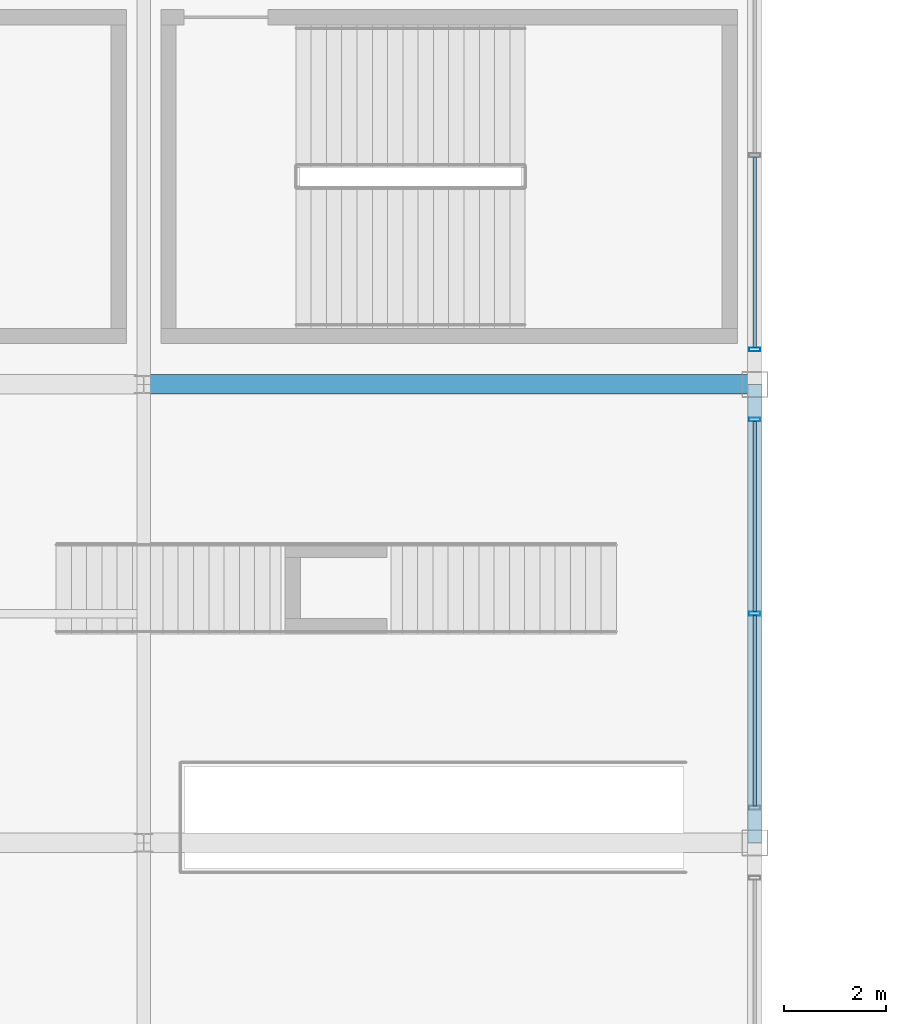
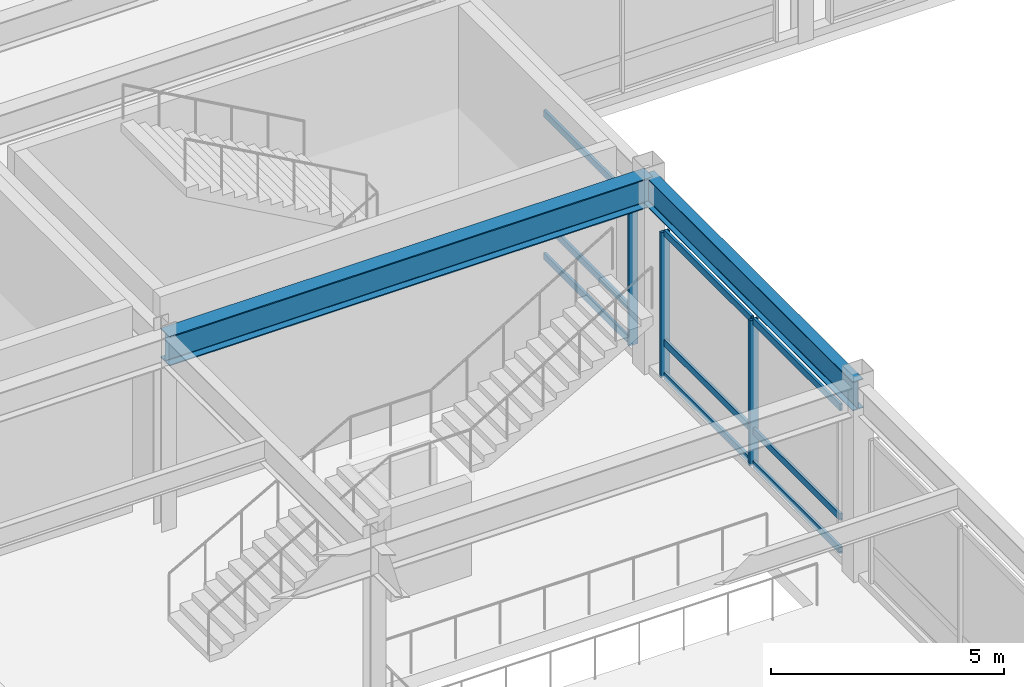
# One storey, part 57 of 100: 12 members, 2 beams, 2 elements without a shape of their own.
"""IFC4 building model written with IfcOpenShell, lengths in metres."""

from ifc_helpers import new_model, si_unit, direction, frame, origin, origin_2d, place, context, subcontext, project, spatial, hollow_rectangle, i_section, extrude, material, material_profile, profile_set, type_object, element, aggregate, save


model = new_model("IFC4")

# Units and contexts
model_context = context("Model", 3, precision=1e-05, world=origin(), true_north=direction((0.0, 1.0)))
body_context = subcontext(model_context, "Body", "Model", "MODEL_VIEW")
ifc_project = project(units=[si_unit("LENGTHUNIT", "METRE"), si_unit("AREAUNIT", "SQUARE_METRE"), si_unit("VOLUMEUNIT", "CUBIC_METRE"), si_unit("PLANEANGLEUNIT", "RADIAN"), si_unit("MASSUNIT", "GRAM", prefix="KILO")], contexts=[model_context])

# Site, building, storey
site_placement = place(None, origin())
site = spatial("IfcSite", under=ifc_project, at=site_placement, CompositionType="ELEMENT")
building_placement = place(site_placement, origin())
building = spatial("IfcBuilding", under=site, at=building_placement, Name="Kaldorvane Square Convention Centre", CompositionType="ELEMENT")
storey_placement = place(building_placement, frame((0.0, 0.0, 18.0)))
storey = spatial("IfcBuildingStorey", under=building, at=storey_placement, Name="L03", CompositionType="ELEMENT", Elevation=18.0)

# Beams
ifc_material_1 = material(Name="Steel ASTM A992 Gr. 50", Category="steel")
ifc_material_profile_1 = material_profile(ifc_material_1, i_section(OverallWidth=0.2666015625, OverallDepth=0.762298583984375, WebThickness=0.014404296875, FlangeThickness=0.0216064453125, FilletRadius=0.0164947509765625, at=origin_2d()), Name="W30X116")
ifc_profile_set_1 = profile_set([ifc_material_profile_1], Name="Steel ASTM A992 Gr. 50")
beam_type_1 = type_object("IfcBeamType", Name="BM-GR-W30X116", PredefinedType="BEAM", material=ifc_profile_set_1)
beam_1_placement = place(storey_placement, frame((138.0, 63.0, 4.694793701171875), z_axis=(0.0, 1.0, 0.0), x_axis=(-1.0, 0.0, 0.0)))
element("IfcBeam", 1, at=beam_1_placement, inside=storey, type_object=beam_type_1, Name="Transverse Girder (L03)", PredefinedType="BEAM", context=body_context, shape_type="SweptSolid", body=[
    extrude(i_section(OverallWidth=0.2666015625, OverallDepth=0.762298583984375, WebThickness=0.014404296875, FlangeThickness=0.0216064453125, FilletRadius=0.0164947509765625, at=origin_2d()), origin(), (0.0, 0.0, 1.0), 9.0),
])
ifc_material_profile_2 = material_profile(ifc_material_1, i_section(OverallWidth=0.380706787109375, OverallDepth=0.773193359375, WebThickness=0.0166015625, FlangeThickness=0.027099609375, FilletRadius=0.0164947509765625, at=origin_2d()), Name="W30X173")
ifc_profile_set_2 = profile_set([ifc_material_profile_2], Name="Steel ASTM A992 Gr. 50")
beam_type_2 = type_object("IfcBeamType", Name="BM-GR-W30X173", PredefinedType="BEAM", material=ifc_profile_set_2)
beam_2_placement = place(storey_placement, frame((126.0, 72.0, 4.6894073486328125), z_axis=(1.0, 0.0, 0.0), x_axis=(0.0, 1.0, 0.0)))
element("IfcBeam", 2, at=beam_2_placement, inside=storey, type_object=beam_type_2, Name="Primary Girder (L03)", PredefinedType="BEAM", context=body_context, shape_type="SweptSolid", body=[
    extrude(i_section(OverallWidth=0.380706787109375, OverallDepth=0.773193359375, WebThickness=0.0166015625, FlangeThickness=0.027099609375, FilletRadius=0.0164947509765625, at=origin_2d()), origin(), (0.0, 0.0, 1.0), 12.0),
])

# Curtain wall, members
ifc_material_2 = material(Name="Anodized Aluminum and Low-E Insulated Glazing", Category="aluminium")
curtain_wall_type = type_object("IfcCurtainWallType", Name="CW-PTS-FC-54", PredefinedType="USERDEFINED", material=ifc_material_2)
curtain_wall_1_placement = place(storey_placement, origin())
curtain_wall_1 = element("IfcCurtainWall", 3, at=curtain_wall_1_placement, inside=storey, type_object=curtain_wall_type, Name="Curtain Wall CW-08 (L03)", ObjectType="POINT SUPPORTED GLAZING", PredefinedType="USERDEFINED")
ifc_material_profile_3 = material_profile(ifc_material_2, hollow_rectangle(XDim=0.0749969482421875, YDim=0.220001220703125, WallThickness=0.003997802734375, at=origin_2d()), Name="CWM-220X75")
ifc_profile_set_3 = profile_set([ifc_material_profile_3], Name="Anodized Aluminum and Low-E Insulated Glazing")
member_type_1 = type_object("IfcMemberType", Name="CW-MUL-220", PredefinedType="MULLION", material=ifc_profile_set_3)
member_1_placement = place(storey_placement, frame((138.0, 67.5, 0.149993896484375), z_axis=(0.0, 0.0, 1.0), x_axis=(0.0, 1.0, 0.0)))
member_1 = element("IfcMember", 4, at=member_1_placement, type_object=member_type_1, Name="CW-08 mullion 2", PredefinedType="MULLION", context=body_context, shape_type="SweptSolid", body=[
    extrude(hollow_rectangle(XDim=0.0749969482421875, YDim=0.220001220703125, WallThickness=0.003997802734375, at=origin_2d()), origin(), (0.0, 0.0, 1.0), 3.8100128173828125),
])
member_2_placement = place(storey_placement, frame((138.0, 71.3125, 0.149993896484375), z_axis=(0.0, 0.0, 1.0), x_axis=(0.0, 1.0, 0.0)))
member_2 = element("IfcMember", 5, at=member_2_placement, type_object=member_type_1, Name="CW-08 mullion 3", PredefinedType="MULLION", context=body_context, shape_type="SweptSolid", body=[
    extrude(hollow_rectangle(XDim=0.0749969482421875, YDim=0.220001220703125, WallThickness=0.003997802734375, at=origin_2d()), origin(), (0.0, 0.0, 1.0), 3.8100128173828125),
])

# Curtain wall, member
curtain_wall_2_placement = place(storey_placement, origin())
curtain_wall_2 = element("IfcCurtainWall", 6, at=curtain_wall_2_placement, inside=storey, type_object=curtain_wall_type, Name="Curtain Wall CW-08 (L03)", ObjectType="POINT SUPPORTED GLAZING", PredefinedType="USERDEFINED")
member_3_placement = place(storey_placement, frame((138.0, 72.6875, 0.149993896484375), z_axis=(0.0, 0.0, 1.0), x_axis=(0.0, 1.0, 0.0)))
member_3 = element("IfcMember", 7, at=member_3_placement, type_object=member_type_1, Name="CW-08 mullion 1", PredefinedType="MULLION", context=body_context, shape_type="SweptSolid", body=[
    extrude(hollow_rectangle(XDim=0.0749969482421875, YDim=0.220001220703125, WallThickness=0.003997802734375, at=origin_2d()), origin(), (0.0, 0.0, 1.0), 3.8100128173828125),
])

# Member
ifc_material_profile_4 = material_profile(ifc_material_2, hollow_rectangle(XDim=0.06500244140625, YDim=0.17999267578125, WallThickness=0.0034942626953125, at=origin_2d()), Name="CWT-180X65")
ifc_profile_set_4 = profile_set([ifc_material_profile_4], Name="Anodized Aluminum and Low-E Insulated Glazing")
member_type_2 = type_object("IfcMemberType", Name="CW-TRN-180", PredefinedType="USERDEFINED", material=ifc_profile_set_4)
member_4_placement = place(storey_placement, frame((138.0, 63.725006103515625, 0.1824951171875), z_axis=(0.0, 1.0, 0.0), x_axis=(-1.0, 0.0, 0.0)))
member_4 = element("IfcMember", 8, at=member_4_placement, type_object=member_type_2, Name="CW-08 transom 1.1", ObjectType="TRANSOM", PredefinedType="USERDEFINED", context=body_context, shape_type="SweptSolid", body=[
    extrude(hollow_rectangle(XDim=0.06500244140625, YDim=0.17999267578125, WallThickness=0.0034942626953125, at=origin_2d()), origin(), (0.0, 0.0, 1.0), 3.73748779296875),
])

member_5_placement = place(storey_placement, frame((138.0, 63.725006103515625, 1.0500030517578125), z_axis=(0.0, 1.0, 0.0), x_axis=(-1.0, 0.0, 0.0)))
member_5 = element("IfcMember", 9, at=member_5_placement, type_object=member_type_2, Name="CW-08 transom 1.2", ObjectType="TRANSOM", PredefinedType="USERDEFINED", context=body_context, shape_type="SweptSolid", body=[
    extrude(hollow_rectangle(XDim=0.06500244140625, YDim=0.17999267578125, WallThickness=0.0034942626953125, at=origin_2d()), origin(), (0.0, 0.0, 1.0), 3.73748779296875),
])

member_6_placement = place(storey_placement, frame((138.0, 63.725006103515625, 3.9275054931640625), z_axis=(0.0, 1.0, 0.0), x_axis=(-1.0, 0.0, 0.0)))
member_6 = element("IfcMember", 10, at=member_6_placement, type_object=member_type_2, Name="CW-08 transom 1.3", ObjectType="TRANSOM", PredefinedType="USERDEFINED", context=body_context, shape_type="SweptSolid", body=[
    extrude(hollow_rectangle(XDim=0.06500244140625, YDim=0.17999267578125, WallThickness=0.0034942626953125, at=origin_2d()), origin(), (0.0, 0.0, 1.0), 3.73748779296875),
])

member_7_placement = place(storey_placement, frame((138.0, 67.53750610351562, 0.1824951171875), z_axis=(0.0, 1.0, 0.0), x_axis=(-1.0, 0.0, 0.0)))
member_7 = element("IfcMember", 11, at=member_7_placement, type_object=member_type_2, Name="CW-08 transom 2.1", ObjectType="TRANSOM", PredefinedType="USERDEFINED", context=body_context, shape_type="SweptSolid", body=[
    extrude(hollow_rectangle(XDim=0.06500244140625, YDim=0.17999267578125, WallThickness=0.0034942626953125, at=origin_2d()), origin(), (0.0, 0.0, 1.0), 3.73748779296875),
])

member_8_placement = place(storey_placement, frame((138.0, 67.53750610351562, 1.0500030517578125), z_axis=(0.0, 1.0, 0.0), x_axis=(-1.0, 0.0, 0.0)))
member_8 = element("IfcMember", 12, at=member_8_placement, type_object=member_type_2, Name="CW-08 transom 2.2", ObjectType="TRANSOM", PredefinedType="USERDEFINED", context=body_context, shape_type="SweptSolid", body=[
    extrude(hollow_rectangle(XDim=0.06500244140625, YDim=0.17999267578125, WallThickness=0.0034942626953125, at=origin_2d()), origin(), (0.0, 0.0, 1.0), 3.73748779296875),
])

member_9_placement = place(storey_placement, frame((138.0, 67.53750610351562, 3.9275054931640625), z_axis=(0.0, 1.0, 0.0), x_axis=(-1.0, 0.0, 0.0)))
member_9 = element("IfcMember", 13, at=member_9_placement, type_object=member_type_2, Name="CW-08 transom 2.3", ObjectType="TRANSOM", PredefinedType="USERDEFINED", context=body_context, shape_type="SweptSolid", body=[
    extrude(hollow_rectangle(XDim=0.06500244140625, YDim=0.17999267578125, WallThickness=0.0034942626953125, at=origin_2d()), origin(), (0.0, 0.0, 1.0), 3.73748779296875),
])

aggregate(curtain_wall_1, [member_1, member_2, member_4, member_5, member_6, member_7, member_8, member_9])

member_10_placement = place(storey_placement, frame((138.0, 72.72500610351562, 0.1824951171875), z_axis=(0.0, 1.0, 0.0), x_axis=(-1.0, 0.0, 0.0)))
member_10 = element("IfcMember", 14, at=member_10_placement, type_object=member_type_2, Name="CW-08 transom 1.1", ObjectType="TRANSOM", PredefinedType="USERDEFINED", context=body_context, shape_type="SweptSolid", body=[
    extrude(hollow_rectangle(XDim=0.06500244140625, YDim=0.17999267578125, WallThickness=0.0034942626953125, at=origin_2d()), origin(), (0.0, 0.0, 1.0), 3.73748779296875),
])

member_11_placement = place(storey_placement, frame((138.0, 72.72500610351562, 1.0500030517578125), z_axis=(0.0, 1.0, 0.0), x_axis=(-1.0, 0.0, 0.0)))
member_11 = element("IfcMember", 15, at=member_11_placement, type_object=member_type_2, Name="CW-08 transom 1.2", ObjectType="TRANSOM", PredefinedType="USERDEFINED", context=body_context, shape_type="SweptSolid", body=[
    extrude(hollow_rectangle(XDim=0.06500244140625, YDim=0.17999267578125, WallThickness=0.0034942626953125, at=origin_2d()), origin(), (0.0, 0.0, 1.0), 3.73748779296875),
])

member_12_placement = place(storey_placement, frame((138.0, 72.72500610351562, 3.9275054931640625), z_axis=(0.0, 1.0, 0.0), x_axis=(-1.0, 0.0, 0.0)))
member_12 = element("IfcMember", 16, at=member_12_placement, type_object=member_type_2, Name="CW-08 transom 1.3", ObjectType="TRANSOM", PredefinedType="USERDEFINED", context=body_context, shape_type="SweptSolid", body=[
    extrude(hollow_rectangle(XDim=0.06500244140625, YDim=0.17999267578125, WallThickness=0.0034942626953125, at=origin_2d()), origin(), (0.0, 0.0, 1.0), 3.73748779296875),
])

aggregate(curtain_wall_2, [member_3, member_10, member_11, member_12])

save(model, "model.ifc")
